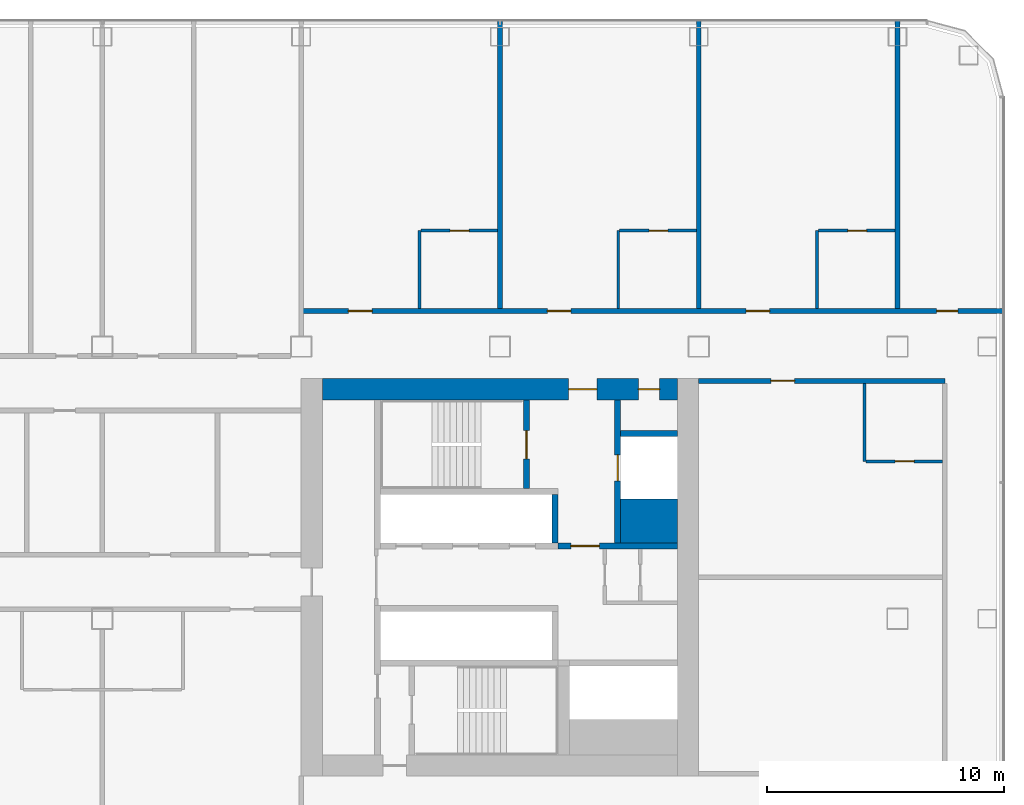
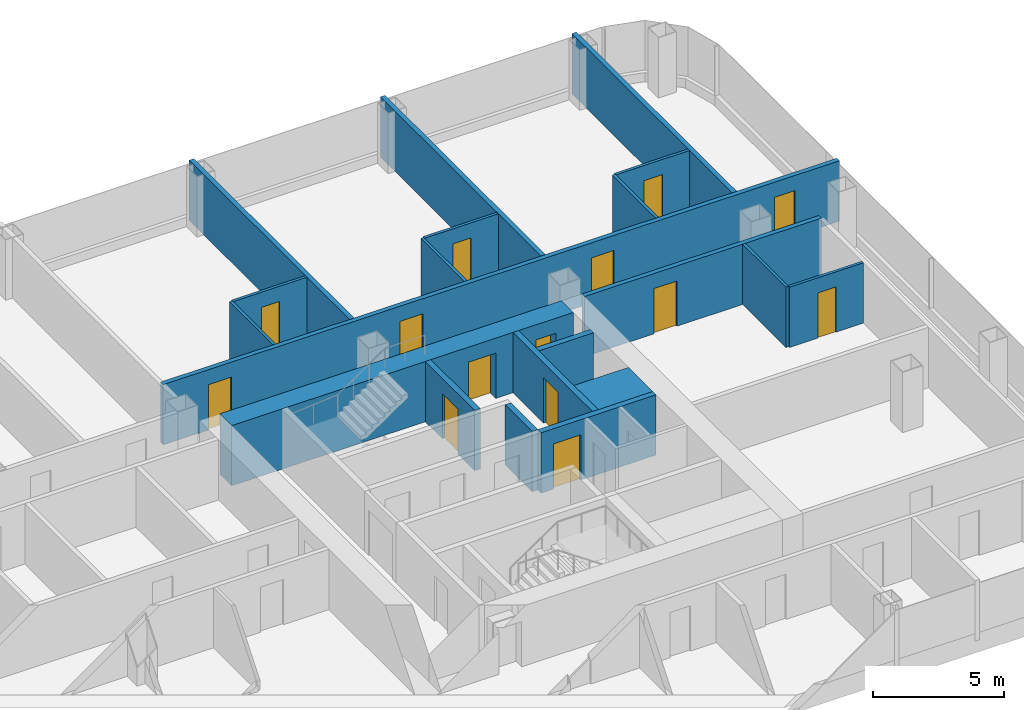
# One storey, part 20 of 29: 20 walls, 14 doors, 14 openings.
"""IFC4 building model written with IfcOpenShell, lengths in metres."""

from ifc_helpers import new_model, si_unit, direction, frame, frame_2d, origin, place, context, subcontext, project, spatial, rectangle, extrude, material, layer, layer_set, type_object, element, fill, save


model = new_model("IFC4")

# Units and contexts
model_context = context("Model", 3, precision=1e-05, world=origin(), true_north=direction((0.0, 1.0)))
body_context = subcontext(model_context, "Body", "Model", "MODEL_VIEW")
ifc_project = project(units=[si_unit("LENGTHUNIT", "METRE"), si_unit("AREAUNIT", "SQUARE_METRE"), si_unit("VOLUMEUNIT", "CUBIC_METRE"), si_unit("PLANEANGLEUNIT", "RADIAN"), si_unit("MASSUNIT", "GRAM", prefix="KILO")], contexts=[model_context])

# Site, building, storey
site_placement = place(None, origin())
site = spatial("IfcSite", under=ifc_project, at=site_placement, CompositionType="ELEMENT")
building_placement = place(site_placement, origin())
building = spatial("IfcBuilding", under=site, at=building_placement, Name="Hakoniwa Tower and Hamabe Station Hall", CompositionType="ELEMENT")
storey_placement = place(building_placement, frame((0.0, 0.0, 91.39990234375)))
storey = spatial("IfcBuildingStorey", under=building, at=storey_placement, Name="L25", CompositionType="ELEMENT", Elevation=91.39990234375)

# Wall, opening, door
ifc_material_1 = material(Name="Gypsum board partition", Category="gypsum")
ifc_layer_1 = layer(ifc_material_1, 0.125)
ifc_layer_set_1 = layer_set([ifc_layer_1], Name="Bathroom Partition 125")
wall_type_1 = type_object("IfcWallType", Name="Bathroom Partition 125", PredefinedType="PARTITIONING", material=ifc_layer_set_1)
wall_1_placement = place(storey_placement, frame((40.66259765625, 4.89990234375, 0.0), z_axis=(0.0, 0.0, 1.0), x_axis=(1.0, 0.0, 0.0)))
wall_1 = element("IfcWall", 1, at=wall_1_placement, inside=storey, type_object=wall_type_1, Name="GW-L25-013", PredefinedType="PARTITIONING", context=body_context, shape_type="SweptSolid", body=[
    extrude(rectangle(XDim=3.2373046875, YDim=0.125, at=frame_2d((1.61865234375, 0.0))), origin(), (0.0, 0.0, 1.0), 2.800048828125),
])
opening_1_placement = place(wall_1_placement, frame((1.237548828125, 0.0, 0.0)))
opening_1 = element("IfcOpeningElement", 2, at=opening_1_placement, cuts=wall_1, Name="Opening GD-G2A1-30", PredefinedType="OPENING", context=body_context, shape_type="SweptSolid", body=[
    extrude(rectangle(XDim=0.800048828125, YDim=2.10009765625, at=frame_2d((0.39990234375, 1.050048828125))), frame((0.0, 0.072509765625, 0.0), z_axis=(0.0, -1.0, 0.0), x_axis=(1.0, 0.0, 0.0)), (0.0, 0.0, 1.0), 0.14501953125),
])
ifc_material_2 = material(Name="Timber door leaf", Category="wood")
door_type_1 = type_object("IfcDoorType", Name="Bathroom Door 800", OperationType="SINGLE_SWING_LEFT", PredefinedType="DOOR", material=ifc_material_2)
door_1_placement = place(opening_1_placement, origin())
door_1 = element("IfcDoor", 3, at=door_1_placement, inside=storey, type_object=door_type_1, Name="Door GD-G2A1-30", OperationType="SINGLE_SWING_LEFT", OverallHeight=2.10009765625, OverallWidth=0.800048828125, PredefinedType="DOOR", context=body_context, shape_type="SweptSolid", body=[
    extrude(rectangle(XDim=0.800048828125, YDim=2.10009765625, at=frame_2d((0.39990234375, 1.050048828125))), frame((0.0, 0.02490234375, 0.0), z_axis=(0.0, -1.0, 0.0), x_axis=(1.0, 0.0, 0.0)), (0.0, 0.0, 1.0), 0.050048828125),
])
fill(opening_1, door_1)

wall_2_placement = place(storey_placement, frame((21.862548828125, 14.64990234375, 0.0), z_axis=(0.0, 0.0, 1.0), x_axis=(1.0, 0.0, 0.0)))
wall_2 = element("IfcWall", 4, at=wall_2_placement, inside=storey, type_object=wall_type_1, Name="GW-L25-023", PredefinedType="PARTITIONING", context=body_context, shape_type="SweptSolid", body=[
    extrude(rectangle(XDim=3.237548828125, YDim=0.125, at=frame_2d((1.61865234375, 0.0))), origin(), (0.0, 0.0, 1.0), 2.800048828125),
])
opening_2_placement = place(wall_2_placement, frame((1.237548828125, 0.0, 0.0)))
opening_2 = element("IfcOpeningElement", 5, at=opening_2_placement, cuts=wall_2, Name="Opening GD-G2A1-56", PredefinedType="OPENING", context=body_context, shape_type="SweptSolid", body=[
    extrude(rectangle(XDim=0.800048828125, YDim=2.10009765625, at=frame_2d((0.39990234375, 1.050048828125))), frame((0.0, 0.072509765625, 0.0), z_axis=(0.0, -1.0, 0.0), x_axis=(1.0, 0.0, 0.0)), (0.0, 0.0, 1.0), 0.14501953125),
])
door_2_placement = place(opening_2_placement, origin())
door_2 = element("IfcDoor", 6, at=door_2_placement, inside=storey, type_object=door_type_1, Name="Door GD-G2A1-56", OperationType="SINGLE_SWING_RIGHT", OverallHeight=2.10009765625, OverallWidth=0.800048828125, PredefinedType="DOOR", context=body_context, shape_type="SweptSolid", body=[
    extrude(rectangle(XDim=0.800048828125, YDim=2.10009765625, at=frame_2d((0.39990234375, 1.050048828125))), frame((0.0, 0.02490234375, 0.0), z_axis=(0.0, -1.0, 0.0), x_axis=(1.0, 0.0, 0.0)), (0.0, 0.0, 1.0), 0.050048828125),
])
fill(opening_2, door_2)

wall_3_placement = place(storey_placement, frame((30.262451171875, 14.64990234375, 0.0), z_axis=(0.0, 0.0, 1.0), x_axis=(1.0, 0.0, 0.0)))
wall_3 = element("IfcWall", 7, at=wall_3_placement, inside=storey, type_object=wall_type_1, Name="GW-L25-024", PredefinedType="PARTITIONING", context=body_context, shape_type="SweptSolid", body=[
    extrude(rectangle(XDim=3.237548828125, YDim=0.125, at=frame_2d((1.61865234375, 0.0))), origin(), (0.0, 0.0, 1.0), 2.800048828125),
])
opening_3_placement = place(wall_3_placement, frame((1.237548828125, 0.0, 0.0)))
opening_3 = element("IfcOpeningElement", 8, at=opening_3_placement, cuts=wall_3, Name="Opening GD-G2A1-57", PredefinedType="OPENING", context=body_context, shape_type="SweptSolid", body=[
    extrude(rectangle(XDim=0.800048828125, YDim=2.10009765625, at=frame_2d((0.39990234375, 1.050048828125))), frame((0.0, 0.072509765625, 0.0), z_axis=(0.0, -1.0, 0.0), x_axis=(1.0, 0.0, 0.0)), (0.0, 0.0, 1.0), 0.14501953125),
])
door_3_placement = place(opening_3_placement, origin())
door_3 = element("IfcDoor", 9, at=door_3_placement, inside=storey, type_object=door_type_1, Name="Door GD-G2A1-57", OperationType="SINGLE_SWING_LEFT", OverallHeight=2.10009765625, OverallWidth=0.800048828125, PredefinedType="DOOR", context=body_context, shape_type="SweptSolid", body=[
    extrude(rectangle(XDim=0.800048828125, YDim=2.10009765625, at=frame_2d((0.39990234375, 1.050048828125))), frame((0.0, 0.02490234375, 0.0), z_axis=(0.0, -1.0, 0.0), x_axis=(1.0, 0.0, 0.0)), (0.0, 0.0, 1.0), 0.050048828125),
])
fill(opening_3, door_3)

wall_4_placement = place(storey_placement, frame((38.66259765625, 14.64990234375, 0.0), z_axis=(0.0, 0.0, 1.0), x_axis=(1.0, 0.0, 0.0)))
wall_4 = element("IfcWall", 10, at=wall_4_placement, inside=storey, type_object=wall_type_1, Name="GW-L25-025", PredefinedType="PARTITIONING", context=body_context, shape_type="SweptSolid", body=[
    extrude(rectangle(XDim=3.2373046875, YDim=0.125, at=frame_2d((1.61865234375, 0.0))), origin(), (0.0, 0.0, 1.0), 2.800048828125),
])
opening_4_placement = place(wall_4_placement, frame((1.237548828125, 0.0, 0.0)))
opening_4 = element("IfcOpeningElement", 11, at=opening_4_placement, cuts=wall_4, Name="Opening GD-G2A1-58", PredefinedType="OPENING", context=body_context, shape_type="SweptSolid", body=[
    extrude(rectangle(XDim=0.800048828125, YDim=2.10009765625, at=frame_2d((0.39990234375, 1.050048828125))), frame((0.0, 0.072509765625, 0.0), z_axis=(0.0, -1.0, 0.0), x_axis=(1.0, 0.0, 0.0)), (0.0, 0.0, 1.0), 0.14501953125),
])
door_4_placement = place(opening_4_placement, origin())
door_4 = element("IfcDoor", 12, at=door_4_placement, inside=storey, type_object=door_type_1, Name="Door GD-G2A1-58", OperationType="SINGLE_SWING_RIGHT", OverallHeight=2.10009765625, OverallWidth=0.800048828125, PredefinedType="DOOR", context=body_context, shape_type="SweptSolid", body=[
    extrude(rectangle(XDim=0.800048828125, YDim=2.10009765625, at=frame_2d((0.39990234375, 1.050048828125))), frame((0.0, 0.02490234375, 0.0), z_axis=(0.0, -1.0, 0.0), x_axis=(1.0, 0.0, 0.0)), (0.0, 0.0, 1.0), 0.050048828125),
])
fill(opening_4, door_4)

# Walls
for number, where, z_axis, x_axis, name in (
    (13, (21.800048828125, 11.35009765625, 0.0), (0.0, 0.0, 1.0), (0.0, 1.0, 0.0), "GW-L25-067"),
    (14, (30.199951171875, 11.35009765625, 0.0), (0.0, 0.0, 1.0), (0.0, 1.0, 0.0), "GW-L25-071"),
    (15, (38.60009765625, 11.35009765625, 0.0), (0.0, 0.0, 1.0), (0.0, 1.0, 0.0), "GW-L25-075"),
):
    element("IfcWall", number, at=place(storey_placement, frame(where, z_axis=z_axis, x_axis=x_axis)), inside=storey, type_object=wall_type_1, Name=name, PredefinedType="PARTITIONING", context=body_context, shape_type="SweptSolid", body=[
        extrude(rectangle(XDim=3.2998046875, YDim=0.125, at=frame_2d((1.64990234375, 0.0))), origin(), (0.0, 0.0, 1.0), 2.800048828125),
    ])
wall_5_placement = place(storey_placement, frame((40.60009765625, 4.89990234375, 0.0), z_axis=(0.0, 0.0, 1.0), x_axis=(0.0, 1.0, 0.0)))
element("IfcWall", 16, at=wall_5_placement, inside=storey, type_object=wall_type_1, Name="GW-L25-076", PredefinedType="PARTITIONING", context=body_context, shape_type="SweptSolid", body=[
    extrude(rectangle(XDim=3.300048828125, YDim=0.125, at=frame_2d((1.64990234375, 0.0))), origin(), (0.0, 0.0, 1.0), 2.800048828125),
])

# Wall, openings, doors
ifc_material_3 = material(Name="Concrete C72", Category="concrete")
ifc_layer_2 = layer(ifc_material_3, 0.89990234375)
ifc_layer_set_2 = layer_set([ifc_layer_2], Name="CORE WALL 900 C72")
wall_type_2 = type_object("IfcWallType", Name="CORE WALL 900 C72", PredefinedType="SHEAR", material=ifc_layer_set_2)
wall_6_placement = place(storey_placement, frame((17.699951171875, 7.949951171875, 0.0), z_axis=(0.0, 0.0, 1.0), x_axis=(1.0, 0.0, 0.0)))
wall_6 = element("IfcWall", 17, at=wall_6_placement, inside=storey, type_object=wall_type_2, Name="Core wall NORTH east", PredefinedType="SHEAR", context=body_context, shape_type="SweptSolid", body=[
    extrude(rectangle(XDim=15.0, YDim=0.89990234375, at=frame_2d((7.5, 0.0))), origin(), (0.0, 0.0, 1.0), 2.800048828125),
])
opening_5_placement = place(wall_6_placement, frame((10.39990234375, 0.0, 0.0)))
opening_5 = element("IfcOpeningElement", 18, at=opening_5_placement, cuts=wall_6, Name="Opening CD-E-FN1-12", PredefinedType="OPENING", context=body_context, shape_type="SweptSolid", body=[
    extrude(rectangle(XDim=1.199951171875, YDim=2.10009765625, at=frame_2d((0.60009765625, 1.050048828125))), frame((0.0, 0.4599609375, 0.0), z_axis=(0.0, -1.0, 0.0), x_axis=(1.0, 0.0, 0.0)), (0.0, 0.0, 1.0), 0.919921875),
])
opening_6_placement = place(wall_6_placement, frame((13.35009765625, 0.0, 0.0)))
opening_6 = element("IfcOpeningElement", 19, at=opening_6_placement, cuts=wall_6, Name="Opening CD-E-FN2-9", PredefinedType="OPENING", context=body_context, shape_type="SweptSolid", body=[
    extrude(rectangle(XDim=0.89990234375, YDim=2.10009765625, at=frame_2d((0.449951171875, 1.050048828125))), frame((0.0, 0.4599609375, 0.0), z_axis=(0.0, -1.0, 0.0), x_axis=(1.0, 0.0, 0.0)), (0.0, 0.0, 1.0), 0.919921875),
])
ifc_material_4 = material(Name="Steel fire door", Category="steel")
door_type_2 = type_object("IfcDoorType", Name="CORE DOOR 1200 FD60", OperationType="DOUBLE_DOOR_SINGLE_SWING", PredefinedType="DOOR", material=ifc_material_4)
door_5_placement = place(opening_5_placement, origin())
door_5 = element("IfcDoor", 20, at=door_5_placement, inside=storey, type_object=door_type_2, Name="Stair vestibule door to the fire-fighting lobby", OperationType="DOUBLE_DOOR_SINGLE_SWING", OverallHeight=2.10009765625, OverallWidth=1.199951171875, PredefinedType="DOOR", context=body_context, shape_type="SweptSolid", body=[
    extrude(rectangle(XDim=1.199951171875, YDim=2.10009765625, at=frame_2d((0.60009765625, 1.050048828125))), frame((0.0, 0.02490234375, 0.0), z_axis=(0.0, -1.0, 0.0), x_axis=(1.0, 0.0, 0.0)), (0.0, 0.0, 1.0), 0.050048828125),
])
fill(opening_5, door_5)
ifc_material_5 = material(Name="Steel fire door", Category="steel")
door_type_3 = type_object("IfcDoorType", Name="CORE DOOR 900 FD30", OperationType="NOTDEFINED", PredefinedType="DOOR", material=ifc_material_5)
door_6_placement = place(opening_6_placement, origin())
door_6 = element("IfcDoor", 21, at=door_6_placement, inside=storey, type_object=door_type_3, Name="Riser access door", OperationType="SINGLE_SWING_LEFT", OverallHeight=2.10009765625, OverallWidth=0.89990234375, PredefinedType="DOOR", context=body_context, shape_type="SweptSolid", body=[
    extrude(rectangle(XDim=0.89990234375, YDim=2.10009765625, at=frame_2d((0.449951171875, 1.050048828125))), frame((0.0, 0.02490234375, 0.0), z_axis=(0.0, -1.0, 0.0), x_axis=(1.0, 0.0, 0.0)), (0.0, 0.0, 1.0), 0.050048828125),
])
fill(opening_6, door_6)

# Walls
ifc_material_6 = material(Name="Concrete C72", Category="concrete")
ifc_layer_3 = layer(ifc_material_6, 1.85009765625)
ifc_layer_set_3 = layer_set([ifc_layer_3], Name="CORE WEB WALL 1850 C72")
wall_type_3 = type_object("IfcWallType", Name="CORE WEB WALL 1850 C72", PredefinedType="SHEAR", material=ifc_layer_set_3)
wall_7_placement = place(storey_placement, frame((30.300048828125, 2.375, 0.0), z_axis=(0.0, 0.0, 1.0), x_axis=(1.0, 0.0, 0.0)))
element("IfcWall", 22, at=wall_7_placement, inside=storey, type_object=wall_type_3, Name="Core wall CA east", PredefinedType="SHEAR", context=body_context, shape_type="SweptSolid", body=[
    extrude(rectangle(XDim=2.39990234375, YDim=1.85009765625, at=frame_2d((1.199951171875, 0.0))), origin(), (0.0, 0.0, 1.0), 2.800048828125),
])
ifc_material_7 = material(Name="Concrete C72", Category="concrete")
ifc_layer_4 = layer(ifc_material_7, 0.25)
ifc_layer_set_4 = layer_set([ifc_layer_4], Name="CORE WEB WALL 250 C72")
wall_type_4 = type_object("IfcWallType", Name="CORE WEB WALL 250 C72", PredefinedType="SHEAR", material=ifc_layer_set_4)
wall_8_placement = place(storey_placement, frame((27.52490234375, 1.449951171875, 0.0), z_axis=(0.0, 0.0, 1.0), x_axis=(0.0, 1.0, 0.0)))
element("IfcWall", 23, at=wall_8_placement, inside=storey, type_object=wall_type_4, Name="Core wall NE east", PredefinedType="SHEAR", context=body_context, shape_type="SweptSolid", body=[
    extrude(rectangle(XDim=2.050048828125, YDim=0.25, at=frame_2d((1.02490234375, 0.0))), origin(), (0.0, 0.0, 1.0), 2.800048828125),
])

# Wall, opening, door
wall_9_placement = place(storey_placement, frame((26.324951171875, 3.75, 0.0), z_axis=(0.0, 0.0, 1.0), x_axis=(0.0, 1.0, 0.0)))
wall_9 = element("IfcWall", 24, at=wall_9_placement, inside=storey, type_object=wall_type_4, Name="Core wall NSE east", PredefinedType="SHEAR", context=body_context, shape_type="SweptSolid", body=[
    extrude(rectangle(XDim=3.75, YDim=0.25, at=frame_2d((1.875, 0.0))), origin(), (0.0, 0.0, 1.0), 2.800048828125),
])
opening_7_placement = place(wall_9_placement, frame((1.25, 0.0, 0.0)))
opening_7 = element("IfcOpeningElement", 25, at=opening_7_placement, cuts=wall_9, Name="Opening CD-E-SN-12", PredefinedType="OPENING", context=body_context, shape_type="SweptSolid", body=[
    extrude(rectangle(XDim=1.199951171875, YDim=2.10009765625, at=frame_2d((0.60009765625, 1.050048828125))), frame((0.0, 0.135009765625, 0.0), z_axis=(0.0, -1.0, 0.0), x_axis=(1.0, 0.0, 0.0)), (0.0, 0.0, 1.0), 0.27001953125),
])
door_7_placement = place(opening_7_placement, origin())
door_7 = element("IfcDoor", 26, at=door_7_placement, inside=storey, type_object=door_type_2, Name="Escape stair door", OperationType="DOUBLE_DOOR_SINGLE_SWING", OverallHeight=2.10009765625, OverallWidth=1.199951171875, PredefinedType="DOOR", context=body_context, shape_type="SweptSolid", body=[
    extrude(rectangle(XDim=1.199951171875, YDim=2.10009765625, at=frame_2d((0.60009765625, 1.050048828125))), frame((0.0, 0.02490234375, 0.0), z_axis=(0.0, -1.0, 0.0), x_axis=(1.0, 0.0, 0.0)), (0.0, 0.0, 1.0), 0.050048828125),
])
fill(opening_7, door_7)

wall_10_placement = place(storey_placement, frame((27.64990234375, 1.324951171875, 0.0), z_axis=(0.0, 0.0, 1.0), x_axis=(1.0, 0.0, 0.0)))
wall_10 = element("IfcWall", 27, at=wall_10_placement, inside=storey, type_object=wall_type_4, Name="Core wall ELN east", PredefinedType="SHEAR", context=body_context, shape_type="SweptSolid", body=[
    extrude(rectangle(XDim=5.050048828125, YDim=0.25, at=frame_2d((2.52490234375, 0.0))), origin(), (0.0, 0.0, 1.0), 2.800048828125),
])
opening_8_placement = place(wall_10_placement, frame((0.550048828125, 0.0, 0.0)))
opening_8 = element("IfcOpeningElement", 28, at=opening_8_placement, cuts=wall_10, Name="Opening CD-E-FL-12", PredefinedType="OPENING", context=body_context, shape_type="SweptSolid", body=[
    extrude(rectangle(XDim=1.199951171875, YDim=2.10009765625, at=frame_2d((0.60009765625, 1.050048828125))), frame((0.0, 0.135009765625, 0.0), z_axis=(0.0, -1.0, 0.0), x_axis=(1.0, 0.0, 0.0)), (0.0, 0.0, 1.0), 0.27001953125),
])
door_8_placement = place(opening_8_placement, origin())
door_8 = element("IfcDoor", 29, at=door_8_placement, inside=storey, type_object=door_type_2, Name="Stair vestibule door to the fire-fighting lobby", OperationType="DOUBLE_DOOR_SINGLE_SWING", OverallHeight=2.10009765625, OverallWidth=1.199951171875, PredefinedType="DOOR", context=body_context, shape_type="SweptSolid", body=[
    extrude(rectangle(XDim=1.199951171875, YDim=2.10009765625, at=frame_2d((0.60009765625, 1.050048828125))), frame((0.0, 0.02490234375, 0.0), z_axis=(0.0, -1.0, 0.0), x_axis=(1.0, 0.0, 0.0)), (0.0, 0.0, 1.0), 0.050048828125),
])
fill(opening_8, door_8)

wall_11_placement = place(storey_placement, frame((30.175048828125, 1.449951171875, 0.0), z_axis=(0.0, 0.0, 1.0), x_axis=(0.0, 1.0, 0.0)))
wall_11 = element("IfcWall", 30, at=wall_11_placement, inside=storey, type_object=wall_type_4, Name="Core wall FFF east", PredefinedType="SHEAR", context=body_context, shape_type="SweptSolid", body=[
    extrude(rectangle(XDim=6.050048828125, YDim=0.25, at=frame_2d((3.02490234375, 0.0))), origin(), (0.0, 0.0, 1.0), 2.800048828125),
])
opening_9_placement = place(wall_11_placement, frame((2.625, 0.0, 0.0)))
opening_9 = element("IfcOpeningElement", 31, at=opening_9_placement, cuts=wall_11, Name="Opening LD-FF2", PredefinedType="OPENING", context=body_context, shape_type="SweptSolid", body=[
    extrude(rectangle(XDim=1.10009765625, YDim=2.10009765625, at=frame_2d((0.550048828125, 1.050048828125))), frame((0.0, 0.135009765625, 0.0), z_axis=(0.0, -1.0, 0.0), x_axis=(1.0, 0.0, 0.0)), (0.0, 0.0, 1.0), 0.27001953125),
])
ifc_material_8 = material(Name="Stainless steel SUS304", Category="steel")
door_type_4 = type_object("IfcDoorType", Name="LIFT LANDING DOOR 1100 FD60", OperationType="DOUBLE_DOOR_SLIDING", PredefinedType="DOOR", material=ifc_material_8)
door_9_placement = place(opening_9_placement, origin())
door_9 = element("IfcDoor", 32, at=door_9_placement, inside=storey, type_object=door_type_4, Name="Lift landing door FF2 L25", OperationType="DOUBLE_DOOR_SLIDING", OverallHeight=2.10009765625, OverallWidth=1.10009765625, PredefinedType="DOOR", context=body_context, shape_type="SweptSolid", body=[
    extrude(rectangle(XDim=1.10009765625, YDim=2.10009765625, at=frame_2d((0.550048828125, 1.050048828125))), frame((0.0, 0.02490234375, 0.0), z_axis=(0.0, -1.0, 0.0), x_axis=(1.0, 0.0, 0.0)), (0.0, 0.0, 1.0), 0.050048828125),
])
fill(opening_9, door_9)

# Wall
wall_12_placement = place(storey_placement, frame((30.300048828125, 6.074951171875, 0.0), z_axis=(0.0, 0.0, 1.0), x_axis=(1.0, 0.0, 0.0)))
element("IfcWall", 33, at=wall_12_placement, inside=storey, type_object=wall_type_4, Name="Core wall C2 east", PredefinedType="SHEAR", context=body_context, shape_type="SweptSolid", body=[
    extrude(rectangle(XDim=2.39990234375, YDim=0.25, at=frame_2d((1.199951171875, 0.0))), origin(), (0.0, 0.0, 1.0), 2.800048828125),
])

# Wall, opening, door
ifc_material_9 = material(Name="Fire-rated gypsum board partition", Category="gypsum")
ifc_layer_5 = layer(ifc_material_9, 0.199951171875)
ifc_layer_set_5 = layer_set([ifc_layer_5], Name="Corridor Wall 200")
wall_type_5 = type_object("IfcWallType", Name="Corridor Wall 200", PredefinedType="PARTITIONING", material=ifc_layer_set_5)
wall_13_placement = place(storey_placement, frame((33.60009765625, 8.300048828125, 0.0), z_axis=(0.0, 0.0, 1.0), x_axis=(1.0, 0.0, 0.0)))
wall_13 = element("IfcWall", 34, at=wall_13_placement, inside=storey, type_object=wall_type_5, Name="GW-L25-016", PredefinedType="PARTITIONING", context=body_context, shape_type="SweptSolid", body=[
    extrude(rectangle(XDim=10.39990234375, YDim=0.199951171875, at=frame_2d((5.199951171875, 0.0))), origin(), (0.0, 0.0, 1.0), 2.800048828125),
])
opening_10_placement = place(wall_13_placement, frame((3.050048828125, 0.0, 0.0)))
opening_10 = element("IfcOpeningElement", 35, at=opening_10_placement, cuts=wall_13, Name="Opening GD-G2A1-36", PredefinedType="OPENING", context=body_context, shape_type="SweptSolid", body=[
    extrude(rectangle(XDim=1.0, YDim=2.10009765625, at=frame_2d((0.5, 1.050048828125))), frame((0.0, 0.10986328125, 0.0), z_axis=(0.0, -1.0, 0.0), x_axis=(1.0, 0.0, 0.0)), (0.0, 0.0, 1.0), 0.219970703125),
])
ifc_material_10 = material(Name="Timber door leaf", Category="wood")
door_type_5 = type_object("IfcDoorType", Name="Guest Entrance Door 1000", OperationType="SINGLE_SWING_LEFT", PredefinedType="DOOR", material=ifc_material_10)
door_10_placement = place(opening_10_placement, origin())
door_10 = element("IfcDoor", 36, at=door_10_placement, inside=storey, type_object=door_type_5, Name="Door GD-G2A1-36", OperationType="SINGLE_SWING_RIGHT", OverallHeight=2.10009765625, OverallWidth=1.0, PredefinedType="DOOR", context=body_context, shape_type="SweptSolid", body=[
    extrude(rectangle(XDim=1.0, YDim=2.10009765625, at=frame_2d((0.5, 1.050048828125))), frame((0.0, 0.02490234375, 0.0), z_axis=(0.0, -1.0, 0.0), x_axis=(1.0, 0.0, 0.0)), (0.0, 0.0, 1.0), 0.050048828125),
])
fill(opening_10, door_10)

# Wall, openings, doors
wall_14_placement = place(storey_placement, frame((16.800048828125, 11.25, 0.0), z_axis=(0.0, 0.0, 1.0), x_axis=(1.0, 0.0, 0.0)))
wall_14 = element("IfcWall", 37, at=wall_14_placement, inside=storey, type_object=wall_type_5, Name="GW-L25-019", PredefinedType="PARTITIONING", context=body_context, shape_type="SweptSolid", body=[
    extrude(rectangle(XDim=29.699951171875, YDim=0.199951171875, at=frame_2d((14.85009765625, 0.0))), origin(), (0.0, 0.0, 1.0), 2.800048828125),
])
opening_11_placement = place(wall_14_placement, frame((2.0, 0.0, 0.0)))
opening_11 = element("IfcOpeningElement", 38, at=opening_11_placement, cuts=wall_14, Name="Opening GD-G2A1-49", PredefinedType="OPENING", context=body_context, shape_type="SweptSolid", body=[
    extrude(rectangle(XDim=1.0, YDim=2.10009765625, at=frame_2d((0.5, 1.050048828125))), frame((0.0, 0.10986328125, 0.0), z_axis=(0.0, -1.0, 0.0), x_axis=(1.0, 0.0, 0.0)), (0.0, 0.0, 1.0), 0.219970703125),
])
opening_12_placement = place(wall_14_placement, frame((10.39990234375, 0.0, 0.0)))
opening_12 = element("IfcOpeningElement", 39, at=opening_12_placement, cuts=wall_14, Name="Opening GD-G2A1-50", PredefinedType="OPENING", context=body_context, shape_type="SweptSolid", body=[
    extrude(rectangle(XDim=1.0, YDim=2.10009765625, at=frame_2d((0.5, 1.050048828125))), frame((0.0, 0.10986328125, 0.0), z_axis=(0.0, -1.0, 0.0), x_axis=(1.0, 0.0, 0.0)), (0.0, 0.0, 1.0), 0.219970703125),
])
opening_13_placement = place(wall_14_placement, frame((18.800048828125, 0.0, 0.0)))
opening_13 = element("IfcOpeningElement", 40, at=opening_13_placement, cuts=wall_14, Name="Opening GD-G2A1-51", PredefinedType="OPENING", context=body_context, shape_type="SweptSolid", body=[
    extrude(rectangle(XDim=1.0, YDim=2.10009765625, at=frame_2d((0.5, 1.050048828125))), frame((0.0, 0.10986328125, 0.0), z_axis=(0.0, -1.0, 0.0), x_axis=(1.0, 0.0, 0.0)), (0.0, 0.0, 1.0), 0.219970703125),
])
opening_14_placement = place(wall_14_placement, frame((26.85009765625, 0.0, 0.0)))
opening_14 = element("IfcOpeningElement", 41, at=opening_14_placement, cuts=wall_14, Name="Opening GD-G2A1-52", PredefinedType="OPENING", context=body_context, shape_type="SweptSolid", body=[
    extrude(rectangle(XDim=0.89990234375, YDim=2.10009765625, at=frame_2d((0.449951171875, 1.050048828125))), frame((0.0, 0.10986328125, 0.0), z_axis=(0.0, -1.0, 0.0), x_axis=(1.0, 0.0, 0.0)), (0.0, 0.0, 1.0), 0.219970703125),
])
door_11_placement = place(opening_11_placement, origin())
door_11 = element("IfcDoor", 42, at=door_11_placement, inside=storey, type_object=door_type_5, Name="Door GD-G2A1-49", OperationType="SINGLE_SWING_LEFT", OverallHeight=2.10009765625, OverallWidth=1.0, PredefinedType="DOOR", context=body_context, shape_type="SweptSolid", body=[
    extrude(rectangle(XDim=1.0, YDim=2.10009765625, at=frame_2d((0.5, 1.050048828125))), frame((0.0, 0.02490234375, 0.0), z_axis=(0.0, -1.0, 0.0), x_axis=(1.0, 0.0, 0.0)), (0.0, 0.0, 1.0), 0.050048828125),
])
fill(opening_11, door_11)
door_12_placement = place(opening_12_placement, origin())
door_12 = element("IfcDoor", 43, at=door_12_placement, inside=storey, type_object=door_type_5, Name="Door GD-G2A1-50", OperationType="SINGLE_SWING_LEFT", OverallHeight=2.10009765625, OverallWidth=1.0, PredefinedType="DOOR", context=body_context, shape_type="SweptSolid", body=[
    extrude(rectangle(XDim=1.0, YDim=2.10009765625, at=frame_2d((0.5, 1.050048828125))), frame((0.0, 0.02490234375, 0.0), z_axis=(0.0, -1.0, 0.0), x_axis=(1.0, 0.0, 0.0)), (0.0, 0.0, 1.0), 0.050048828125),
])
fill(opening_12, door_12)
door_13_placement = place(opening_13_placement, origin())
door_13 = element("IfcDoor", 44, at=door_13_placement, inside=storey, type_object=door_type_5, Name="Door GD-G2A1-51", OperationType="SINGLE_SWING_RIGHT", OverallHeight=2.10009765625, OverallWidth=1.0, PredefinedType="DOOR", context=body_context, shape_type="SweptSolid", body=[
    extrude(rectangle(XDim=1.0, YDim=2.10009765625, at=frame_2d((0.5, 1.050048828125))), frame((0.0, 0.02490234375, 0.0), z_axis=(0.0, -1.0, 0.0), x_axis=(1.0, 0.0, 0.0)), (0.0, 0.0, 1.0), 0.050048828125),
])
fill(opening_13, door_13)
ifc_material_11 = material(Name="Timber door leaf", Category="wood")
door_type_6 = type_object("IfcDoorType", Name="Service Door 900", OperationType="SINGLE_SWING_LEFT", PredefinedType="DOOR", material=ifc_material_11)
door_14_placement = place(opening_14_placement, origin())
door_14 = element("IfcDoor", 45, at=door_14_placement, inside=storey, type_object=door_type_6, Name="Door GD-G2A1-52", OperationType="SINGLE_SWING_RIGHT", OverallHeight=2.10009765625, OverallWidth=0.89990234375, PredefinedType="DOOR", context=body_context, shape_type="SweptSolid", body=[
    extrude(rectangle(XDim=0.89990234375, YDim=2.10009765625, at=frame_2d((0.449951171875, 1.050048828125))), frame((0.0, 0.02490234375, 0.0), z_axis=(0.0, -1.0, 0.0), x_axis=(1.0, 0.0, 0.0)), (0.0, 0.0, 1.0), 0.050048828125),
])
fill(opening_14, door_14)

# Walls
ifc_material_12 = material(Name="Fire-rated gypsum board partition", Category="gypsum")
ifc_layer_6 = layer(ifc_material_12, 0.199951171875)
ifc_layer_set_6 = layer_set([ifc_layer_6], Name="Party Wall 200")
wall_type_6 = type_object("IfcWallType", Name="Party Wall 200", PredefinedType="PARTITIONING", material=ifc_layer_set_6)
for number, where, z_axis, x_axis, name in (
    (46, (25.199951171875, 11.35009765625, 0.0), (0.0, 0.0, 1.0), (0.0, 1.0, 0.0), "GW-L25-069"),
    (47, (33.60009765625, 11.35009765625, 0.0), (0.0, 0.0, 1.0), (0.0, 1.0, 0.0), "GW-L25-073"),
    (48, (42.0, 11.35009765625, 0.0), (0.0, 0.0, 1.0), (0.0, 1.0, 0.0), "GW-L25-078"),
):
    element("IfcWall", number, at=place(storey_placement, frame(where, z_axis=z_axis, x_axis=x_axis)), inside=storey, type_object=wall_type_6, Name=name, PredefinedType="PARTITIONING", context=body_context, shape_type="SweptSolid", body=[
        extrude(rectangle(XDim=12.199951171875, YDim=0.199951171875, at=frame_2d((6.10009765625, 0.0))), origin(), (0.0, 0.0, 1.0), 2.800048828125),
    ])

save(model, "model.ifc")
